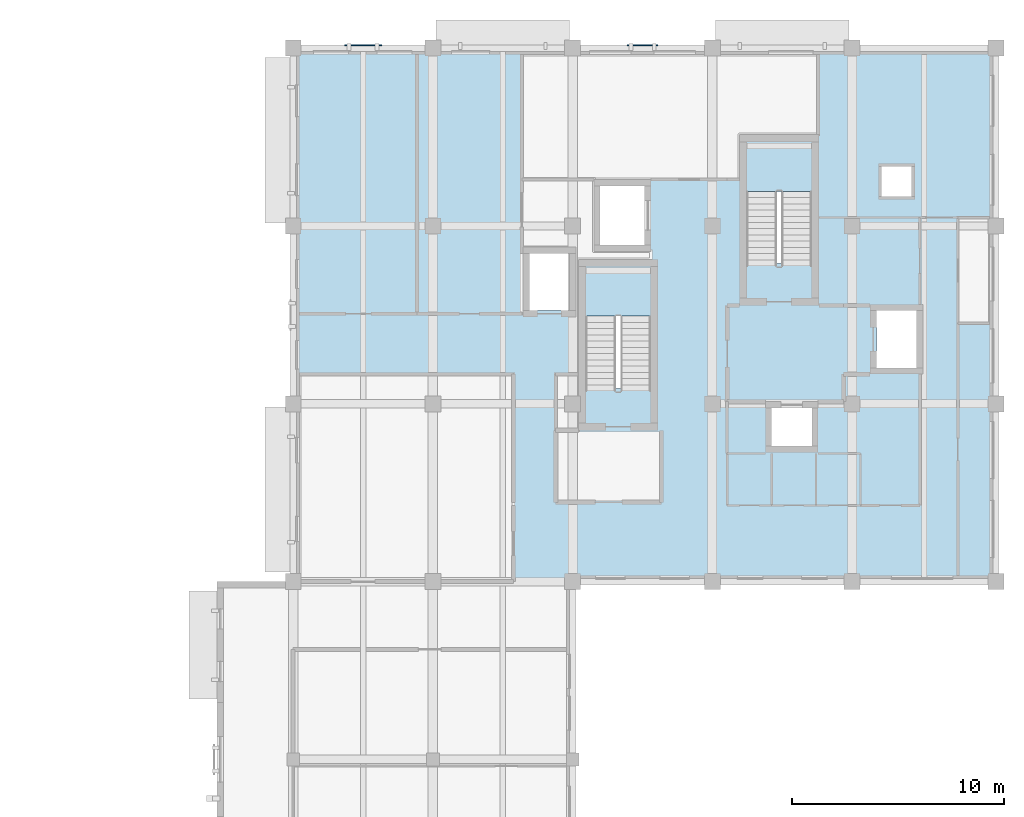
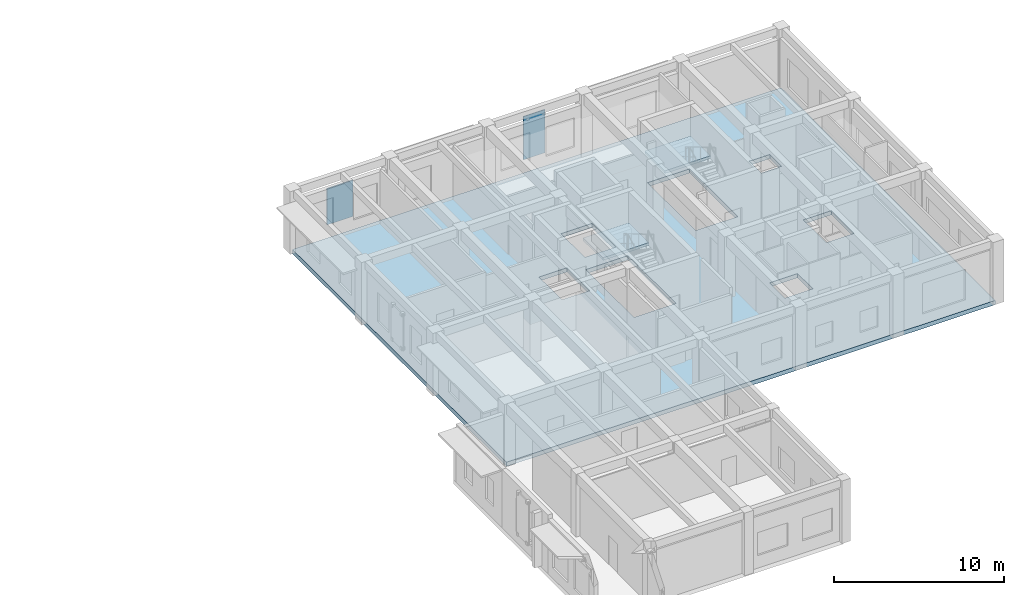
# One storey, part 5 of 25: 3 slabs, 2 plates, 2 elements without a shape of their own.
"""IFC4 building model written with IfcOpenShell, lengths in metres."""

from ifc_helpers import new_model, si_unit, direction, frame, origin, origin_2d, place, context, subcontext, project, spatial, polyline, rectangle, outline, extrude, material, layer, layer_set, type_object, element, aggregate, save


model = new_model("IFC4")

# Units and contexts
model_context = context("Model", 3, precision=1e-05, world=origin(), true_north=direction((0.0, 1.0)))
body_context = subcontext(model_context, "Body", "Model", "MODEL_VIEW")
ifc_project = project(units=[si_unit("LENGTHUNIT", "METRE"), si_unit("AREAUNIT", "SQUARE_METRE"), si_unit("VOLUMEUNIT", "CUBIC_METRE"), si_unit("PLANEANGLEUNIT", "RADIAN"), si_unit("MASSUNIT", "GRAM", prefix="KILO")], contexts=[model_context])

# Site, building, storey
site_placement = place(None, origin())
site = spatial("IfcSite", under=ifc_project, at=site_placement, CompositionType="ELEMENT")
building_placement = place(site_placement, origin())
building = spatial("IfcBuilding", under=site, at=building_placement, Name="Kolvaren Faculty of Natural Sciences", CompositionType="ELEMENT")
storey_placement = place(building_placement, frame((0.0, 0.0, 19.5)))
storey = spatial("IfcBuildingStorey", under=building, at=storey_placement, Name="L04", CompositionType="ELEMENT", Elevation=19.5)

# Plates
ifc_material_1 = material(Name="Extruded architectural terracotta screen", Category="masonry")
ifc_layer_1 = layer(ifc_material_1, 0.06494140625)
ifc_layer_set_1 = layer_set([ifc_layer_1], Name="Extruded architectural terracotta screen")
plate_type_1 = type_object("IfcPlateType", Name="EnvelopePlate_JL02", PredefinedType="USERDEFINED", material=ifc_layer_set_1)
plate_1_placement = place(storey_placement, frame((142.10009765625, 84.340087890625, 0.849853515625), z_axis=(0.0, 0.0, 1.0), x_axis=(1.0, 0.0, 0.0)))
element("IfcPlate", 1, at=plate_1_placement, inside=storey, type_object=plate_type_1, Name="L04 perforated terracotta jali sun screen JL-02", ObjectType="SCREEN", PredefinedType="USERDEFINED", context=body_context, shape_type="SweptSolid", body=[
    extrude(rectangle(XDim=1.75, YDim=0.06494140625, at=origin_2d()), origin(), (0.0, 0.0, 1.0), 2.60009765625),
])
ifc_layer_2 = layer(ifc_material_1, 0.06494140625)
ifc_layer_set_2 = layer_set([ifc_layer_2], Name="Extruded architectural terracotta screen")
plate_type_2 = type_object("IfcPlateType", Name="EnvelopePlate_JL03", PredefinedType="USERDEFINED", material=ifc_layer_set_2)
plate_2_placement = place(storey_placement, frame((155.300048828125, 84.340087890625, 0.849853515625), z_axis=(0.0, 0.0, 1.0), x_axis=(1.0, 0.0, 0.0)))
element("IfcPlate", 2, at=plate_2_placement, inside=storey, type_object=plate_type_2, Name="L04 perforated terracotta jali sun screen JL-03", ObjectType="SCREEN", PredefinedType="USERDEFINED", context=body_context, shape_type="SweptSolid", body=[
    extrude(rectangle(XDim=1.449951171875, YDim=0.06494140625, at=origin_2d()), origin(), (0.0, 0.0, 1.0), 3.10009765625),
])

# Slab
ifc_material_2 = material(Name="Concrete C35/45", Category="concrete")
ifc_layer_3 = layer(ifc_material_2, 0.300048828125)
ifc_layer_set_3 = layer_set([ifc_layer_3], Name="Concrete C35/45")
slab_type_1 = type_object("IfcSlabType", Name="LabFloorSlab_300", PredefinedType="FLOOR", material=ifc_layer_set_3)
slab_1_placement = place(storey_placement, frame((0.0, 0.0, -0.300048828125)))
element("IfcSlab", 3, at=slab_1_placement, inside=storey, type_object=slab_type_1, Name="L04 V6 structural slab 1", PredefinedType="FLOOR", context=body_context, shape_type="SweptSolid", body=[
    extrude(outline(polyline([(138.800048828125, 59.0), (138.800048828125, 84.199951171875), (172.0, 84.199951171875), (172.0, 59.0), (138.800048828125, 59.0)]), holes=[polyline([(168.25, 71.800048828125), (166.35009765625, 71.800048828125), (166.35009765625, 69.10009765625), (168.25, 69.10009765625), (168.25, 71.800048828125)]), polyline([(168.0, 78.60009765625), (166.60009765625, 78.60009765625), (166.60009765625, 77.199951171875), (168.0, 77.199951171875), (168.0, 78.60009765625)]), polyline([(161.39990234375, 67.199951171875), (161.39990234375, 65.39990234375), (163.300048828125, 65.39990234375), (163.300048828125, 67.199951171875), (161.39990234375, 67.199951171875)]), polyline([(163.179931640625, 79.679931640625), (160.320068359375, 79.679931640625), (160.320068359375, 74.02001953125), (163.179931640625, 74.02001953125), (163.179931640625, 79.679931640625)]), polyline([(155.580078125, 73.780029296875), (152.719970703125, 73.780029296875), (152.719970703125, 68.1201171875), (155.580078125, 68.1201171875), (155.580078125, 73.780029296875)]), polyline([(155.39990234375, 77.699951171875), (153.300048828125, 77.699951171875), (153.300048828125, 74.89990234375), (155.39990234375, 74.89990234375), (155.39990234375, 77.699951171875)]), polyline([(151.85009765625, 74.5), (149.949951171875, 74.5), (149.949951171875, 71.800048828125), (151.85009765625, 71.800048828125), (151.85009765625, 74.5)])]), origin(), (0.0, 0.0, 1.0), 0.300048828125),
])

# Stair, slab
stair_type = type_object("IfcStairType", Name="DoglegStair_H4500", PredefinedType="HALF_TURN_STAIR", material=ifc_material_2)
stair_1_placement = place(storey_placement, origin())
stair_1 = element("IfcStair", 4, at=stair_1_placement, inside=storey, type_object=stair_type, Name="L04 Protected exit stair ST-1", PredefinedType="HALF_TURN_STAIR")
ifc_layer_4 = layer(ifc_material_2, 0.199951171875)
ifc_layer_set_4 = layer_set([ifc_layer_4], Name="Concrete C35/45")
slab_type_2 = type_object("IfcSlabType", Name="StairLandingSlab_200", PredefinedType="LANDING", material=ifc_layer_set_4)
slab_2_placement = place(storey_placement, frame((0.0, 0.0, 2.050048828125)))
slab_2 = element("IfcSlab", 5, at=slab_2_placement, type_object=slab_type_2, Name="ST-1 landing 1", PredefinedType="LANDING", context=body_context, shape_type="SweptSolid", body=[
    extrude(outline(polyline([(163.300048828125, 77.43994140625), (163.300048828125, 79.800048828125), (160.199951171875, 79.800048828125), (160.199951171875, 77.43994140625), (163.300048828125, 77.43994140625)])), origin(), (0.0, 0.0, 1.0), 0.199951171875),
])
aggregate(stair_1, [slab_2])

stair_2_placement = place(storey_placement, origin())
stair_2 = element("IfcStair", 6, at=stair_2_placement, inside=storey, type_object=stair_type, Name="L04 Protected exit stair ST-2", PredefinedType="HALF_TURN_STAIR")
slab_3_placement = place(storey_placement, frame((0.0, 0.0, 2.050048828125)))
slab_3 = element("IfcSlab", 7, at=slab_3_placement, type_object=slab_type_2, Name="ST-2 landing 1", PredefinedType="LANDING", context=body_context, shape_type="SweptSolid", body=[
    extrude(outline(polyline([(155.699951171875, 71.5400390625), (155.699951171875, 73.89990234375), (152.60009765625, 73.89990234375), (152.60009765625, 71.5400390625), (155.699951171875, 71.5400390625)])), origin(), (0.0, 0.0, 1.0), 0.199951171875),
])
aggregate(stair_2, [slab_3])

save(model, "model.ifc")
